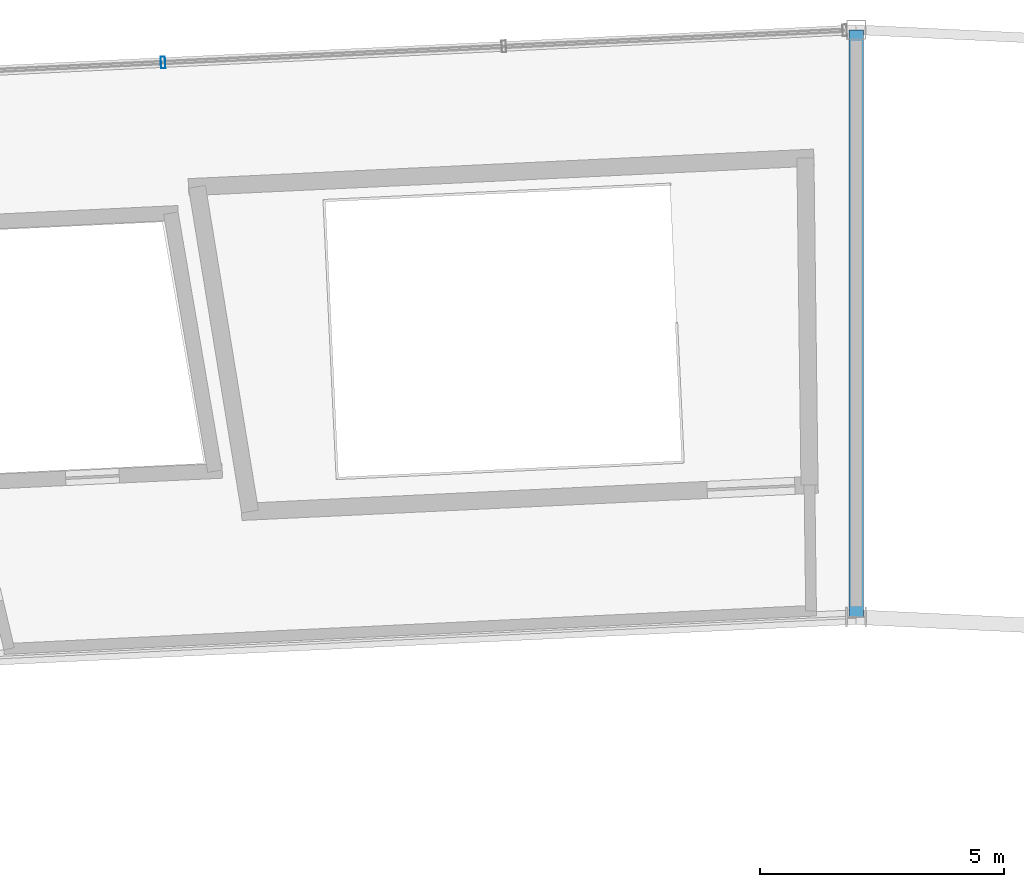
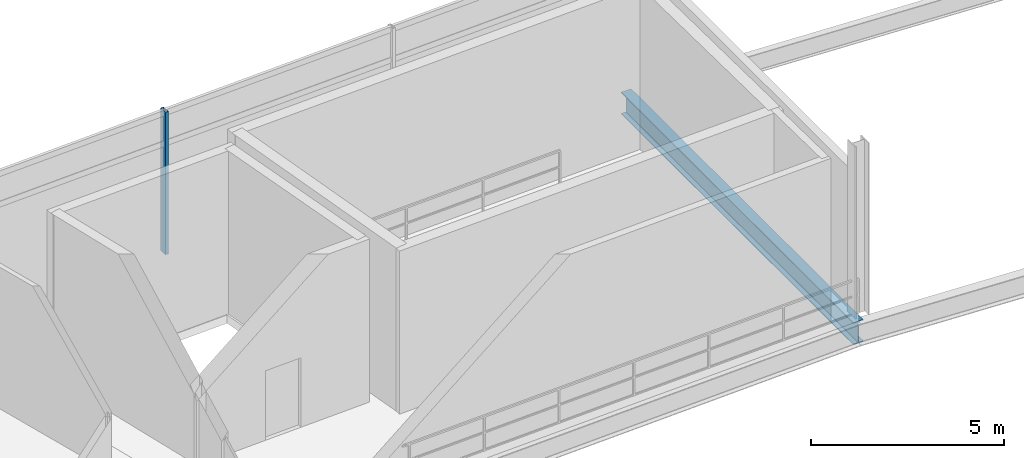
# One storey, part 60 of 86: 1 beam, 1 member, 1 element without a shape of its own.
"""IFC4 building model written with IfcOpenShell, lengths in metres."""

from ifc_helpers import new_model, si_unit, direction, frame, origin, origin_2d, place, context, subcontext, project, spatial, hollow_rectangle, i_section, extrude, material, layer, layer_set, material_profile, profile_set, type_object, element, aggregate, save


model = new_model("IFC4")

# Units and contexts
model_context = context("Model", 3, precision=1e-05, world=origin(), true_north=direction((0.0, 1.0)))
body_context = subcontext(model_context, "Body", "Model", "MODEL_VIEW")
ifc_project = project(units=[si_unit("LENGTHUNIT", "METRE"), si_unit("AREAUNIT", "SQUARE_METRE"), si_unit("VOLUMEUNIT", "CUBIC_METRE"), si_unit("PLANEANGLEUNIT", "RADIAN"), si_unit("MASSUNIT", "GRAM", prefix="KILO")], contexts=[model_context])

# Site, building, storey
site_placement = place(None, origin())
site = spatial("IfcSite", under=ifc_project, at=site_placement, CompositionType="ELEMENT")
building_placement = place(site_placement, origin())
building = spatial("IfcBuilding", under=site, at=building_placement, Name="Kazemori Nagisa Stadium", CompositionType="ELEMENT")
storey_placement = place(building_placement, frame((0.0, 0.0, 31.280029296875)))
storey = spatial("IfcBuildingStorey", under=building, at=storey_placement, Name="L06", CompositionType="ELEMENT", Elevation=31.280029296875)

# Beam
ifc_material_1 = material(Name="Steel SN490B", Category="steel")
ifc_material_profile_1 = material_profile(ifc_material_1, i_section(OverallWidth=0.300048828125, OverallDepth=0.699951171875, WebThickness=0.012939453125, FlangeThickness=0.02392578125, FilletRadius=0.01806640625, at=origin_2d()), Name="H-700x300x13x24")
ifc_profile_set_1 = profile_set([ifc_material_profile_1], Name="Steel SN490B")
beam_type = type_object("IfcBeamType", Name="Beam_BG-H700", PredefinedType="BEAM", material=ifc_profile_set_1)
beam_placement = place(storey_placement, frame((123.0, 175.9599609375, -0.610107421875), z_axis=(0.0, 1.0, 0.0), x_axis=(-1.0, 0.0, 0.0)))
element("IfcBeam", 1, at=beam_placement, inside=storey, type_object=beam_type, Name="Radial girder BG-H700 L06 R2-R3-08", PredefinedType="BEAM", context=body_context, shape_type="SweptSolid", body=[
    extrude(i_section(OverallWidth=0.300048828125, OverallDepth=0.699951171875, WebThickness=0.012939453125, FlangeThickness=0.02392578125, FilletRadius=0.01806640625, at=origin_2d()), origin(), (0.0, 0.0, 1.0), 12.0400390625),
])

# Curtain wall, member
ifc_material_2 = material(Name="Anodised aluminium 6063-T5", Category="aluminium")
ifc_layer = layer(ifc_material_2, 0.239990234375, Name="Anodised aluminium 6063-T5", Category="aluminium")
ifc_layer_set = layer_set([ifc_layer], Name="Anodised aluminium 6063-T5")
curtain_wall_type = type_object("IfcCurtainWallType", Name="CW_L06R3_105", PredefinedType="USERDEFINED", material=ifc_layer_set)
curtain_wall_placement = place(storey_placement, origin())
curtain_wall = element("IfcCurtainWall", 2, at=curtain_wall_placement, inside=storey, type_object=curtain_wall_type, Name="Unitised curtain wall CW-L06R3-105 L06", ObjectType="UNITISED CURTAIN WALL", PredefinedType="USERDEFINED")
ifc_material_3 = material(Name="Aluminium 6063-T5 anodised", Category="aluminium")
ifc_material_profile_2 = material_profile(ifc_material_3, hollow_rectangle(XDim=0.090087890625, YDim=0.239990234375, WallThickness=0.0048828125, at=origin_2d()), Name="ALU-MULL-90x240x5")
ifc_profile_set_2 = profile_set([ifc_material_profile_2], Name="Aluminium 6063-T5 anodised")
member_type = type_object("IfcMemberType", Name="Mullion_M03", PredefinedType="MULLION", material=ifc_profile_set_2)
member_placement = place(storey_placement, frame((108.793212890625, 187.328369140625, 0.0), z_axis=(0.0, 0.0, 1.0), x_axis=(-0.998884022476, -0.047230388971, 0.0)))
member = element("IfcMember", 3, at=member_placement, type_object=member_type, Name="Curtain wall mullion CW-L06R3-105-M3", PredefinedType="MULLION", context=body_context, shape_type="SweptSolid", body=[
    extrude(hollow_rectangle(XDim=0.090087890625, YDim=0.239990234375, WallThickness=0.0048828125, at=origin_2d()), origin(), (0.0, 0.0, 1.0), 4.510009765625),
])
aggregate(curtain_wall, [member])

save(model, "model.ifc")
